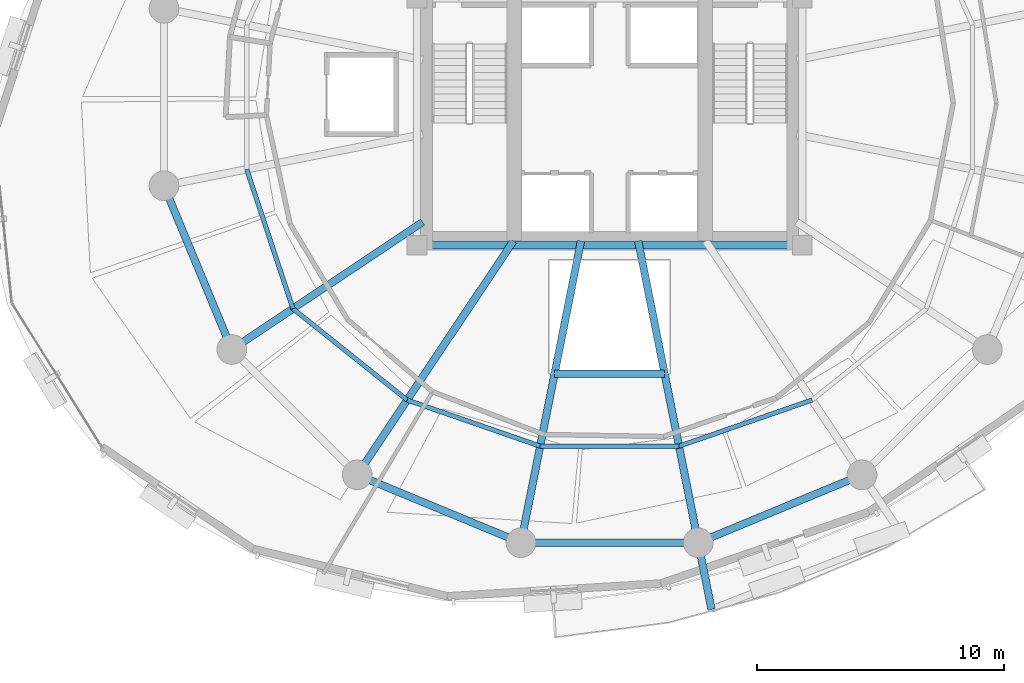
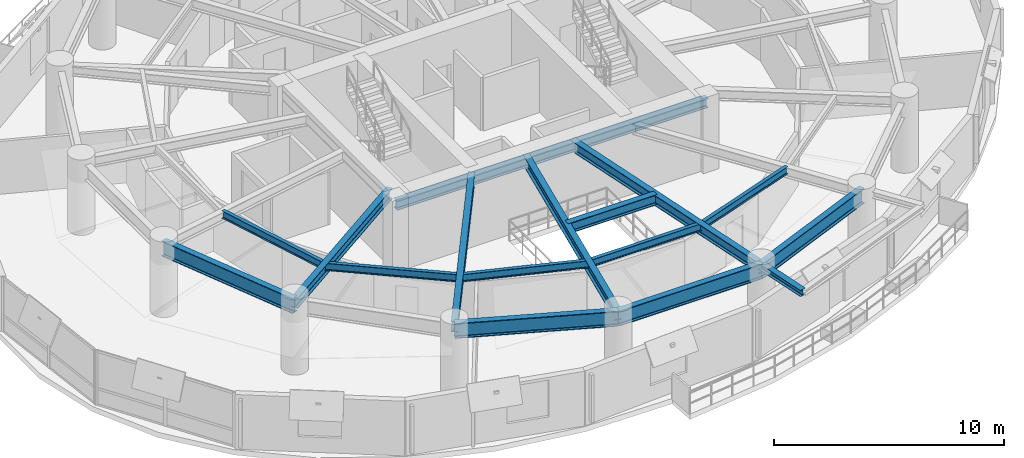
# One storey, part 3 of 15: 16 beams.
"""IFC4 building model written with IfcOpenShell, lengths in metres."""

from ifc_helpers import new_model, si_unit, direction, frame, origin, origin_2d, place, context, subcontext, project, spatial, i_section, extrude, material, material_profile, profile_set, type_object, element, save


model = new_model("IFC4")

# Units and contexts
model_context = context("Model", 3, precision=1e-05, world=origin(), true_north=direction((0.0, 1.0)))
body_context = subcontext(model_context, "Body", "Model", "MODEL_VIEW")
ifc_project = project(units=[si_unit("LENGTHUNIT", "METRE"), si_unit("AREAUNIT", "SQUARE_METRE"), si_unit("VOLUMEUNIT", "CUBIC_METRE"), si_unit("PLANEANGLEUNIT", "RADIAN"), si_unit("MASSUNIT", "GRAM", prefix="KILO"), si_unit("THERMODYNAMICTEMPERATUREUNIT", "KELVIN"), si_unit("POWERUNIT", "WATT")], contexts=[model_context])

# Site, building, storey
site_placement = place(None, origin())
site = spatial("IfcSite", under=ifc_project, at=site_placement, CompositionType="ELEMENT")
building_placement = place(site_placement, origin())
building = spatial("IfcBuilding", under=site, at=building_placement, Name="Ocrelia Relay Tower", CompositionType="ELEMENT")
storey_placement = place(building_placement, frame((0.0, 0.0, 113.800048828125)))
storey = spatial("IfcBuildingStorey", under=building, at=storey_placement, Name="L26", CompositionType="ELEMENT", Elevation=113.800048828125)

# Beams
ifc_material = material(Name="Steel S355", Category="steel")
ifc_material_profile_1 = material_profile(ifc_material, i_section(OverallWidth=0.300048828125, OverallDepth=0.330078125, WebThickness=0.009521484375, FlangeThickness=0.0166015625, FilletRadius=0.027099609375, at=origin_2d()), Name="HEA 340")
ifc_profile_set_1 = profile_set([ifc_material_profile_1], Name="Steel S355")
beam_type_1 = type_object("IfcBeamType", Name="BM-HEA340", PredefinedType="BEAM", material=ifc_profile_set_1)
beam_1_placement = place(storey_placement, frame((37.589599609375, 7.95361328125, 3.554931640625), z_axis=(0.19517769106, -0.980767897574, 0.0), x_axis=(0.980767897574, 0.19517769106, 0.0)))
element("IfcBeam", 1, at=beam_1_placement, inside=storey, type_object=beam_type_1, Name="L27 Balcony Cantilever Beam B2-1", PredefinedType="BEAM", context=body_context, shape_type="SweptSolid", body=[
    extrude(i_section(OverallWidth=0.300048828125, OverallDepth=0.330078125, WebThickness=0.009521484375, FlangeThickness=0.0166015625, FilletRadius=0.027099609375, at=origin_2d()), origin(), (0.0, 0.0, 1.0), 2.751953125),
])
ifc_material_profile_2 = material_profile(ifc_material, i_section(OverallWidth=0.300048828125, OverallDepth=0.5, WebThickness=0.014404296875, FlangeThickness=0.028076171875, FilletRadius=0.027099609375, at=origin_2d()), Name="HEB 500")
ifc_profile_set_2 = profile_set([ifc_material_profile_2], Name="Steel S355")
beam_type_2 = type_object("IfcBeamType", Name="BM-HEB500", PredefinedType="BEAM", material=ifc_profile_set_2)
beam_2_placement = place(storey_placement, frame((26.199951171875, 20.0, 3.469970703125), z_axis=(1.0, 0.0, 0.0), x_axis=(0.0, 1.0, 0.0)))
element("IfcBeam", 2, at=beam_2_placement, inside=storey, type_object=beam_type_2, Name="L26 Core Pilaster Tie Beam S", PredefinedType="BEAM", context=body_context, shape_type="SweptSolid", body=[
    extrude(i_section(OverallWidth=0.300048828125, OverallDepth=0.5, WebThickness=0.014404296875, FlangeThickness=0.028076171875, FilletRadius=0.027099609375, at=origin_2d()), origin(), (0.0, 0.0, 1.0), 15.60009765625),
])
ifc_material_profile_3 = material_profile(ifc_material, i_section(OverallWidth=0.300048828125, OverallDepth=0.550048828125, WebThickness=0.014892578125, FlangeThickness=0.029052734375, FilletRadius=0.027099609375, at=origin_2d()), Name="HEB 550")
ifc_profile_set_3 = profile_set([ifc_material_profile_3], Name="Steel S355")
beam_type_3 = type_object("IfcBeamType", Name="BM-HEB550", PredefinedType="BEAM", material=ifc_profile_set_3)
beam_3_placement = place(storey_placement, frame((18.700927734375, 15.777587890625, 3.445068359375), z_axis=(0.831472030531, 0.555566613868, 0.0), x_axis=(-0.555566613868, 0.831472030531, 0.0)))
element("IfcBeam", 3, at=beam_3_placement, inside=storey, type_object=beam_type_3, Name="L26 Radial Floor Girder R10", PredefinedType="BEAM", context=body_context, shape_type="SweptSolid", body=[
    extrude(i_section(OverallWidth=0.300048828125, OverallDepth=0.550048828125, WebThickness=0.014892578125, FlangeThickness=0.029052734375, FilletRadius=0.027099609375, at=origin_2d()), origin(), (0.0, 0.0, 1.0), 9.295654296875),
])
beam_4_placement = place(storey_placement, frame((23.777587890625, 10.700927734375, 3.445068359375), z_axis=(0.555565661158, 0.831472667105, 0.0), x_axis=(-0.831472667105, 0.555565661158, 0.0)))
element("IfcBeam", 4, at=beam_4_placement, inside=storey, type_object=beam_type_3, Name="L26 Radial Floor Girder R11", PredefinedType="BEAM", context=body_context, shape_type="SweptSolid", body=[
    extrude(i_section(OverallWidth=0.300048828125, OverallDepth=0.550048828125, WebThickness=0.014892578125, FlangeThickness=0.029052734375, FilletRadius=0.027099609375, at=origin_2d()), origin(), (0.0, 0.0, 1.0), 11.38818359375),
])
for number, where, z_axis, x_axis, name in (
    (5, (30.410400390625, 7.95361328125, 3.445068359375), (0.195086983979, 0.980785944374, 0.0), (-0.980785944374, 0.195086983979, 0.0), "L26 Radial Floor Girder R12"),
    (6, (37.589599609375, 7.95361328125, 3.445068359375), (-0.195086983979, 0.980785944374, 0.0), (-0.980785944374, -0.195086983979, 0.0), "L26 Radial Floor Girder R13"),
):
    element("IfcBeam", number, at=place(storey_placement, frame(where, z_axis=z_axis, x_axis=x_axis)), inside=storey, type_object=beam_type_3, Name=name, PredefinedType="BEAM", context=body_context, shape_type="SweptSolid", body=[
        extrude(i_section(OverallWidth=0.300048828125, OverallDepth=0.550048828125, WebThickness=0.014892578125, FlangeThickness=0.029052734375, FilletRadius=0.027099609375, at=origin_2d()), origin(), (0.0, 0.0, 1.0), 12.45556640625),
    ])
beam_5_placement = place(storey_placement, frame((31.772216796875, 14.800048828125, 3.445068359375), z_axis=(1.0, 0.0, 0.0), x_axis=(0.0, 1.0, 0.0)))
element("IfcBeam", 7, at=beam_5_placement, inside=storey, type_object=beam_type_3, Name="L26 Atrium South Trimmer Beam", PredefinedType="BEAM", context=body_context, shape_type="SweptSolid", body=[
    extrude(i_section(OverallWidth=0.300048828125, OverallDepth=0.550048828125, WebThickness=0.014892578125, FlangeThickness=0.029052734375, FilletRadius=0.027099609375, at=origin_2d()), origin(), (0.0, 0.0, 1.0), 4.45556640625),
])
ifc_material_profile_4 = material_profile(ifc_material, i_section(OverallWidth=0.300048828125, OverallDepth=0.800048828125, WebThickness=0.017578125, FlangeThickness=0.032958984375, FilletRadius=0.030029296875, at=origin_2d()), Name="HEB 800")
ifc_profile_set_4 = profile_set([ifc_material_profile_4], Name="Steel S355")
beam_type_4 = type_object("IfcBeamType", Name="BM-HEB800", PredefinedType="BEAM", material=ifc_profile_set_4)
for number, where, z_axis, x_axis, name in (
    (8, (15.95361328125, 22.410400390625, 3.320068359375), (0.382673155247, -0.923883789366, 0.0), (0.923883789366, 0.382673155247, 0.0), "L26 Perimeter Spandrel Beam S09"),
    (9, (23.777587890625, 10.700927734375, 3.320068359375), (0.923883789366, -0.382673155247, 0.0), (0.382673155247, 0.923883789366, 0.0), "L26 Perimeter Spandrel Beam S11"),
    (10, (30.410400390625, 7.95361328125, 3.320068359375), (1.0, 0.0, 0.0), (0.0, 1.0, 0.0), "L26 Perimeter Spandrel Beam S12"),
    (11, (37.589599609375, 7.95361328125, 3.320068359375), (0.923883789366, 0.382673155247, 0.0), (-0.382673155247, 0.923883789366, 0.0), "L26 Perimeter Spandrel Beam S13"),
):
    element("IfcBeam", number, at=place(storey_placement, frame(where, z_axis=z_axis, x_axis=x_axis)), inside=storey, type_object=beam_type_4, Name=name, PredefinedType="BEAM", context=body_context, shape_type="SweptSolid", body=[
        extrude(i_section(OverallWidth=0.300048828125, OverallDepth=0.800048828125, WebThickness=0.017578125, FlangeThickness=0.032958984375, FilletRadius=0.030029296875, at=origin_2d()), origin(), (0.0, 0.0, 1.0), 7.17919921875),
    ])
ifc_material_profile_5 = material_profile(ifc_material, i_section(OverallWidth=0.179931640625, OverallDepth=0.39990234375, WebThickness=0.008544921875, FlangeThickness=0.013427734375, FilletRadius=0.02099609375, at=origin_2d()), Name="IPE 400")
ifc_profile_set_5 = profile_set([ifc_material_profile_5], Name="Steel S355")
beam_type_5 = type_object("IfcBeamType", Name="BM-IPE400", PredefinedType="JOIST", material=ifc_profile_set_5)
beam_6_placement = place(storey_placement, frame((19.305908203125, 23.0771484375, 3.52001953125), z_axis=(0.314121352003, -0.949382839647, 0.0), x_axis=(0.949382839647, 0.314121352003, 0.0)))
element("IfcBeam", 12, at=beam_6_placement, inside=storey, type_object=beam_type_5, Name="L26 Secondary Floor Joist J09", PredefinedType="JOIST", context=body_context, shape_type="SweptSolid", body=[
    extrude(i_section(OverallWidth=0.179931640625, OverallDepth=0.39990234375, WebThickness=0.008544921875, FlangeThickness=0.013427734375, FilletRadius=0.02099609375, at=origin_2d()), origin(), (0.0, 0.0, 1.0), 5.947998046875),
])
beam_7_placement = place(storey_placement, frame((21.17431640625, 17.43017578125, 3.52001953125), z_axis=(0.781130070991, -0.62436833055, 0.0), x_axis=(0.62436833055, 0.781130070991, 0.0)))
element("IfcBeam", 13, at=beam_7_placement, inside=storey, type_object=beam_type_5, Name="L26 Secondary Floor Joist J10", PredefinedType="JOIST", context=body_context, shape_type="SweptSolid", body=[
    extrude(i_section(OverallWidth=0.179931640625, OverallDepth=0.39990234375, WebThickness=0.008544921875, FlangeThickness=0.013427734375, FilletRadius=0.02099609375, at=origin_2d()), origin(), (0.0, 0.0, 1.0), 5.92431640625),
])
beam_8_placement = place(storey_placement, frame((25.802001953125, 13.731201171875, 3.52001953125), z_axis=(0.944767437111, -0.327741498401, 0.0), x_axis=(0.327741498401, 0.944767437111, 0.0)))
element("IfcBeam", 14, at=beam_8_placement, inside=storey, type_object=beam_type_5, Name="L26 Secondary Floor Joist J11", PredefinedType="JOIST", context=body_context, shape_type="SweptSolid", body=[
    extrude(i_section(OverallWidth=0.179931640625, OverallDepth=0.39990234375, WebThickness=0.008544921875, FlangeThickness=0.013427734375, FilletRadius=0.02099609375, at=origin_2d()), origin(), (0.0, 0.0, 1.0), 5.700927734375),
])
beam_9_placement = place(storey_placement, frame((31.18798828125, 11.86279296875, 3.52001953125), z_axis=(1.0, 0.0, 0.0), x_axis=(0.0, 1.0, 0.0)))
element("IfcBeam", 15, at=beam_9_placement, inside=storey, type_object=beam_type_5, Name="L26 Secondary Floor Joist J12", PredefinedType="JOIST", context=body_context, shape_type="SweptSolid", body=[
    extrude(i_section(OverallWidth=0.179931640625, OverallDepth=0.39990234375, WebThickness=0.008544921875, FlangeThickness=0.013427734375, FilletRadius=0.02099609375, at=origin_2d()), origin(), (0.0, 0.0, 1.0), 5.6240234375),
])
beam_10_placement = place(storey_placement, frame((36.81201171875, 11.86279296875, 3.52001953125), z_axis=(0.944767437111, 0.327741498401, 0.0), x_axis=(-0.327741498401, 0.944767437111, 0.0)))
element("IfcBeam", 16, at=beam_10_placement, inside=storey, type_object=beam_type_5, Name="L26 Secondary Floor Joist J13", PredefinedType="JOIST", context=body_context, shape_type="SweptSolid", body=[
    extrude(i_section(OverallWidth=0.179931640625, OverallDepth=0.39990234375, WebThickness=0.008544921875, FlangeThickness=0.013427734375, FilletRadius=0.02099609375, at=origin_2d()), origin(), (0.0, 0.0, 1.0), 5.700927734375),
])

save(model, "model.ifc")
